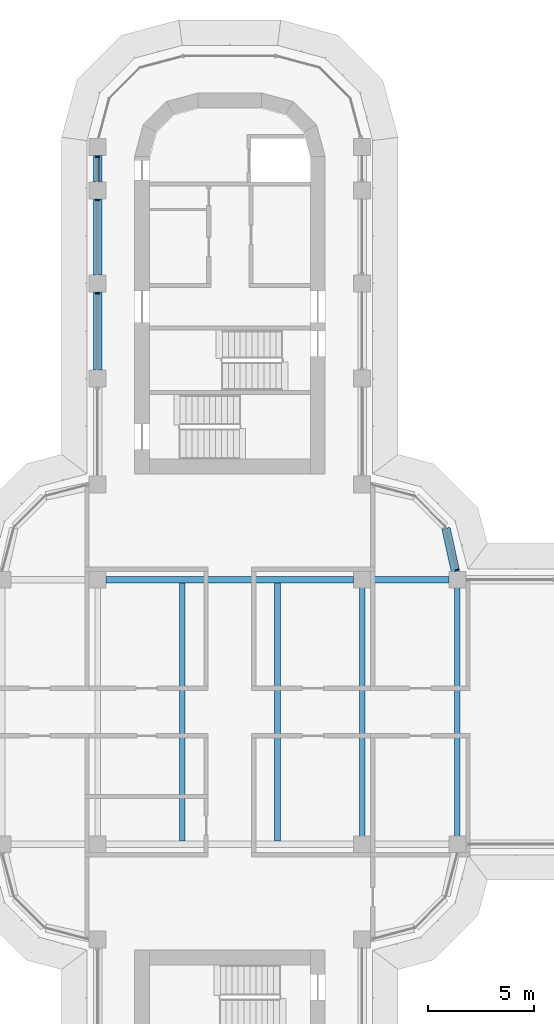
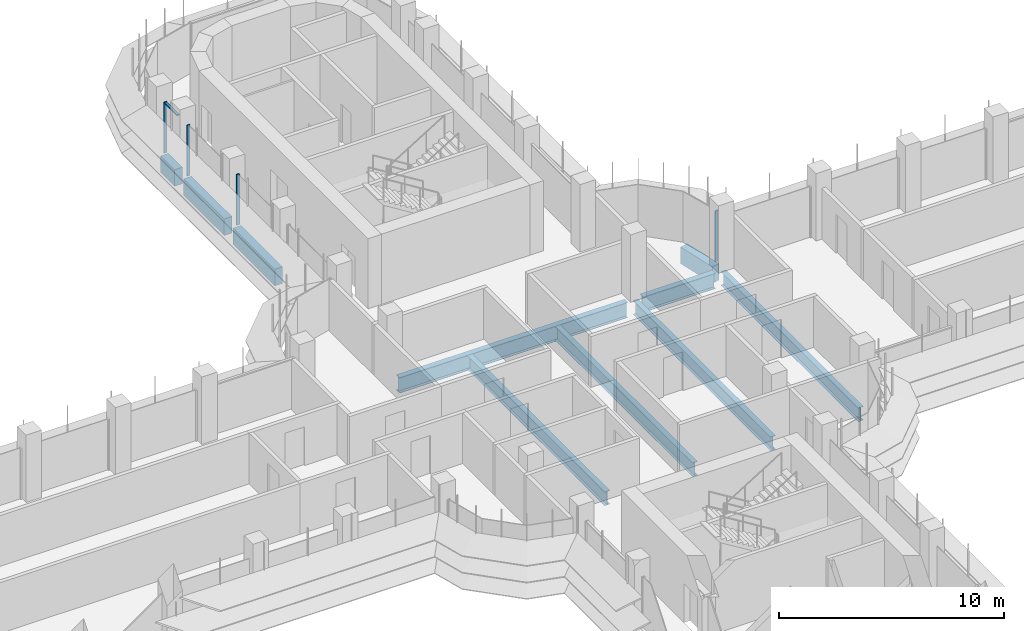
# One storey, part 7 of 19: 10 beams, 5 members, 2 elements without a shape of their own.
"""IFC4 building model written with IfcOpenShell, lengths in metres."""

from ifc_helpers import new_model, si_unit, direction, frame, origin, origin_2d, place, context, subcontext, project, spatial, polyline, rectangle, i_section, outline, extrude, source, transform, mapped, material, material_profile, profile_set, type_object, element, aggregate, save


model = new_model("IFC4")

# Units and contexts
model_context = context("Model", 3, precision=1e-05, world=origin(), true_north=direction((0.0, 1.0)))
body_context = subcontext(model_context, "Body", "Model", "MODEL_VIEW")
ifc_project = project(units=[si_unit("LENGTHUNIT", "METRE"), si_unit("AREAUNIT", "SQUARE_METRE"), si_unit("VOLUMEUNIT", "CUBIC_METRE"), si_unit("PLANEANGLEUNIT", "RADIAN"), si_unit("MASSUNIT", "GRAM", prefix="KILO")], contexts=[model_context])

# Site, building, storey
site_placement = place(None, origin())
site = spatial("IfcSite", under=ifc_project, at=site_placement, CompositionType="ELEMENT")
building_placement = place(site_placement, origin())
building = spatial("IfcBuilding", under=site, at=building_placement, Name="Zarbagh Exchange Tower", CompositionType="ELEMENT")
storey_placement = place(building_placement, frame((0.0, 0.0, 171.39990234375)))
storey = spatial("IfcBuildingStorey", under=building, at=storey_placement, Name="L41", CompositionType="ELEMENT", Elevation=171.39990234375)

# Beams
ifc_material_1 = material(Name="Steel ASTM A992 Gr 50", Category="steel")
ifc_material_profile_1 = material_profile(ifc_material_1, i_section(OverallWidth=0.26416015625, OverallDepth=0.749267578125, WebThickness=0.011962890625, FlangeThickness=0.015380859375, at=origin_2d()), Name="W30X90")
ifc_profile_set_1 = profile_set([ifc_material_profile_1], Name="Steel ASTM A992 Gr 50")
beam_type_1 = type_object("IfcBeamType", Name="Floor beam W30X90", PredefinedType="BEAM", material=ifc_profile_set_1)
for number, where, z_axis, x_axis, name in (
    (1, (-2.25, -6.10400390625, -0.5244140625), (0.0, 1.0, 0.0), (-1.0, 0.0, 0.0), "Steel floor beam"),
    (2, (2.25, -6.10400390625, -0.5244140625), (0.0, 1.0, 0.0), (-1.0, 0.0, 0.0), "Steel floor beam"),
    (3, (6.25, -6.10400390625, -0.5244140625), (0.0, 1.0, 0.0), (-1.0, 0.0, 0.0), "Steel floor beam"),
    (4, (10.75, -6.10400390625, -0.5244140625), (0.0, 1.0, 0.0), (-1.0, 0.0, 0.0), "Steel floor beam"),
):
    element("IfcBeam", number, at=place(storey_placement, frame(where, z_axis=z_axis, x_axis=x_axis)), inside=storey, type_object=beam_type_1, Name=name, PredefinedType="BEAM", context=body_context, shape_type="SweptSolid", body=[
        extrude(i_section(OverallWidth=0.26416015625, OverallDepth=0.749267578125, WebThickness=0.011962890625, FlangeThickness=0.015380859375, at=origin_2d()), origin(), (0.0, 0.0, 1.0), 12.2080078125),
    ])
ifc_material_profile_2 = material_profile(ifc_material_1, i_section(OverallWidth=0.2919921875, OverallDepth=0.835693359375, WebThickness=0.013916015625, FlangeThickness=0.018798828125, at=origin_2d()), Name="W33X118")
ifc_profile_set_2 = profile_set([ifc_material_profile_2], Name="Steel ASTM A992 Gr 50")
beam_type_2 = type_object("IfcBeamType", Name="Floor girder W33X118", PredefinedType="BEAM", material=ifc_profile_set_2)
beam_1_placement = place(storey_placement, frame((-5.85009765625, 6.25, -0.567626953125), z_axis=(1.0, 0.0, 0.0), x_axis=(0.0, 1.0, 0.0)))
element("IfcBeam", 5, at=beam_1_placement, inside=storey, type_object=beam_type_2, Name="Steel girder", PredefinedType="BEAM", context=body_context, shape_type="SweptSolid", body=[
    extrude(i_section(OverallWidth=0.2919921875, OverallDepth=0.835693359375, WebThickness=0.013916015625, FlangeThickness=0.018798828125, at=origin_2d()), origin(), (0.0, 0.0, 1.0), 11.7001953125),
])
beam_2_placement = place(storey_placement, frame((6.64990234375, 6.25, -0.567626953125), z_axis=(1.0, 0.0, 0.0), x_axis=(0.0, 1.0, 0.0)))
element("IfcBeam", 6, at=beam_2_placement, inside=storey, type_object=beam_type_2, Name="Steel girder", PredefinedType="BEAM", context=body_context, shape_type="SweptSolid", body=[
    extrude(i_section(OverallWidth=0.2919921875, OverallDepth=0.835693359375, WebThickness=0.013916015625, FlangeThickness=0.018798828125, at=origin_2d()), origin(), (0.0, 0.0, 1.0), 3.7001953125),
])
ifc_material_2 = material(Name="Concrete C50/60", Category="concrete")
ifc_material_profile_3 = material_profile(ifc_material_2, rectangle(XDim=0.39990234375, YDim=0.89990234375, at=origin_2d()), Name="RC spandrel beam 400 x 900 C50/60")
ifc_profile_set_3 = profile_set([ifc_material_profile_3], Name="Concrete C50/60")
beam_type_3 = type_object("IfcBeamType", Name="RC spandrel beam 400 x 900 C50/60", PredefinedType="SPANDREL", material=ifc_profile_set_3)
beam_3_placement = place(storey_placement, frame((-6.25, 16.14990234375, -0.599853515625), z_axis=(0.0, 1.0, 0.0), x_axis=(-1.0, 0.0, 0.0)))
element("IfcBeam", 7, at=beam_3_placement, inside=storey, type_object=beam_type_3, Name="RC spandrel beam", PredefinedType="SPANDREL", context=body_context, shape_type="SweptSolid", body=[
    extrude(rectangle(XDim=0.39990234375, YDim=0.89990234375, at=origin_2d()), origin(), (0.0, 0.0, 1.0), 3.7001953125),
])
beam_4_placement = place(storey_placement, frame((-6.25, 20.64990234375, -0.599853515625), z_axis=(0.0, 1.0, 0.0), x_axis=(-1.0, 0.0, 0.0)))
element("IfcBeam", 8, at=beam_4_placement, inside=storey, type_object=beam_type_3, Name="RC spandrel beam", PredefinedType="SPANDREL", context=body_context, shape_type="SweptSolid", body=[
    extrude(rectangle(XDim=0.39990234375, YDim=0.89990234375, at=origin_2d()), origin(), (0.0, 0.0, 1.0), 3.60009765625),
])
beam_5_placement = place(storey_placement, frame((-6.25, 25.050048828125, -0.599853515625), z_axis=(0.0, 1.0, 0.0), x_axis=(-1.0, 0.0, 0.0)))
element("IfcBeam", 9, at=beam_5_placement, inside=storey, type_object=beam_type_3, Name="RC spandrel beam", PredefinedType="SPANDREL", context=body_context, shape_type="SweptSolid", body=[
    extrude(rectangle(XDim=0.39990234375, YDim=0.89990234375, at=origin_2d()), origin(), (0.0, 0.0, 1.0), 1.25),
])
beam_6_placement = place(storey_placement, frame((10.21142578125, 8.68408203125, -0.599853515625), z_axis=(0.216041061437, -0.976384278741, 0.0), x_axis=(0.976384278741, 0.216041061437, 0.0)))
element("IfcBeam", 10, at=beam_6_placement, inside=storey, type_object=beam_type_3, Name="RC spandrel beam", PredefinedType="SPANDREL", context=body_context, shape_type="SweptSolid", body=[
    extrude(rectangle(XDim=0.39990234375, YDim=0.89990234375, at=origin_2d()), origin(), (0.0, 0.0, 1.0), 2.0927734375),
])

# Curtain wall, member
ifc_material_3 = material(Name="Anodised aluminium frame and glazing", Category="aluminium")
curtain_wall_type = type_object("IfcCurtainWallType", Name="CWB Ribbon glazing, upper zones", PredefinedType="NOTDEFINED", material=ifc_material_3)
curtain_wall_1_placement = place(storey_placement, origin())
curtain_wall_1 = element("IfcCurtainWall", 11, at=curtain_wall_1_placement, inside=storey, type_object=curtain_wall_type, Name="CWB17 curtain wall", PredefinedType="NOTDEFINED")
ifc_material_4 = material(Name="Anodised aluminium frame", Category="aluminium")
member_type_1 = type_object("IfcMemberType", Name="MUB Mullion, anodised aluminium frame", PredefinedType="MULLION", material=ifc_material_4)
shared_shape_1 = source(origin(), body_context, "Body", "SweptSolid", [
    extrude(outline(polyline([(0.0, -0.080078125), (0.06005859375, -0.080078125), (0.06005859375, 0.080078125), (0.0, 0.080078125), (0.0, -0.080078125)])), origin(), (0.0, 0.0, 1.0), 2.75),
])
placement = place(storey_placement, origin())
member_1 = element("IfcMember", 12, at=placement, type_object=member_type_1, Name="CWB17 mullion 1.1", PredefinedType="MULLION", context=body_context, shape_type="MappedRepresentation", body=[
    mapped(shared_shape_1, transform((10.74853515625, 6.68994140625, 0.0), x_axis=(-0.258824779902, 0.965924289636, 0.0), y_axis=(-0.965924289636, -0.258824779902, 0.0), z_axis=(0.0, 0.0, 1.0))),
])
aggregate(curtain_wall_1, [member_1])

# Curtain wall, members
curtain_wall_2_placement = place(storey_placement, origin())
curtain_wall_2 = element("IfcCurtainWall", 13, at=curtain_wall_2_placement, inside=storey, type_object=curtain_wall_type, Name="CWB28 curtain wall", PredefinedType="NOTDEFINED")
member_2 = element("IfcMember", 14, at=placement, type_object=member_type_1, Name="CWB28 mullion 1.1", PredefinedType="MULLION", context=body_context, shape_type="MappedRepresentation", body=[
    mapped(shared_shape_1, transform((-6.25, 26.260009765625, 0.0), x_axis=(0.0, -1.0, 0.0), y_axis=(1.0, 0.0, 0.0), z_axis=(0.0, 0.0, 1.0))),
])
member_3 = element("IfcMember", 15, at=placement, type_object=member_type_1, Name="CWB28 mullion 2.1", PredefinedType="MULLION", context=body_context, shape_type="MappedRepresentation", body=[
    mapped(shared_shape_1, transform((-6.25, 24.2099609375, 0.0), x_axis=(0.0, -1.0, 0.0), y_axis=(1.0, 0.0, 0.0), z_axis=(0.0, 0.0, 1.0))),
])
member_4 = element("IfcMember", 16, at=placement, type_object=member_type_1, Name="CWB28 mullion 3.1", PredefinedType="MULLION", context=body_context, shape_type="MappedRepresentation", body=[
    mapped(shared_shape_1, transform((-6.25, 19.81005859375, 0.0), x_axis=(0.0, -1.0, 0.0), y_axis=(1.0, 0.0, 0.0), z_axis=(0.0, 0.0, 1.0))),
])
member_type_2 = type_object("IfcMemberType", Name="TRB Transom, anodised aluminium frame", PredefinedType="USERDEFINED", material=ifc_material_4)
shared_shape_2 = source(origin(), body_context, "Body", "SweptSolid", [
    extrude(outline(polyline([(-0.06005859375, -0.06005859375), (0.0, -0.06005859375), (0.0, 0.06005859375), (-0.06005859375, 0.06005859375), (-0.06005859375, -0.06005859375)])), origin(), (0.0, 0.0, 1.0), 1.110107421875),
])
member_5 = element("IfcMember", 17, at=placement, type_object=member_type_2, Name="CWB28 transom 1.1", ObjectType="TRANSOM", PredefinedType="USERDEFINED", context=body_context, shape_type="MappedRepresentation", body=[
    mapped(shared_shape_2, transform((-6.25, 26.199951171875, 2.75), x_axis=(0.0, 0.0, 1.0), y_axis=(-1.0, 0.0, 0.0), z_axis=(0.0, -1.0, 0.0))),
])
aggregate(curtain_wall_2, [member_2, member_5, member_3, member_4])

save(model, "model.ifc")
